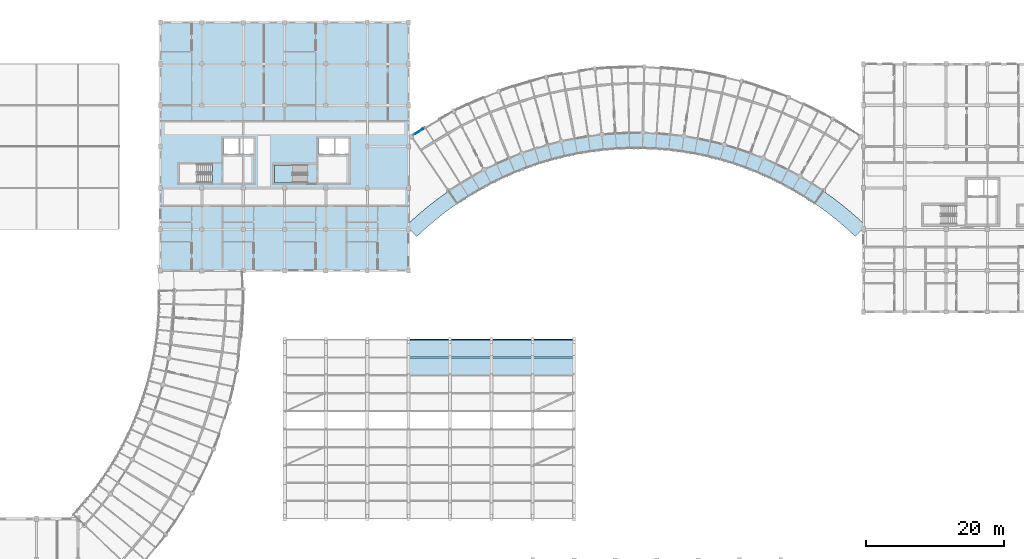
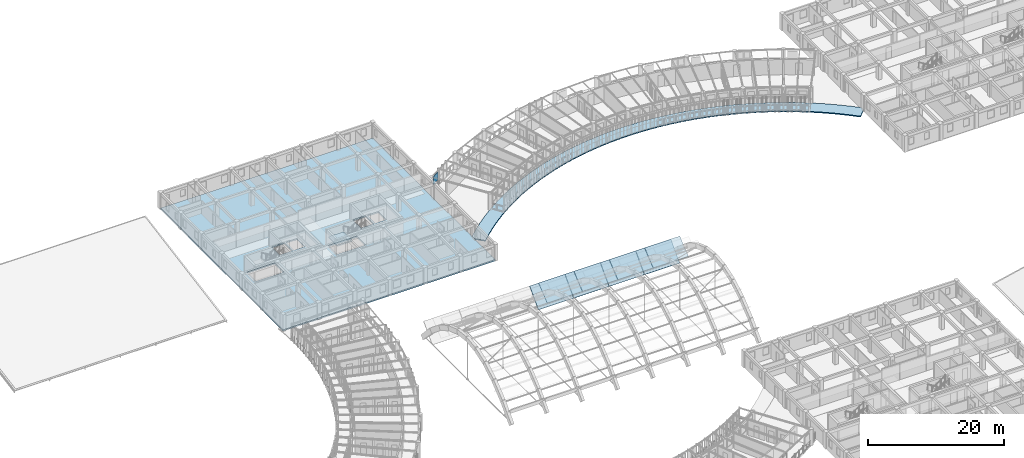
# One storey, part 65 of 123: 9 plates, 3 slabs, 1 element without a shape of its own.
"""IFC4 building model written with IfcOpenShell, lengths in metres."""

from ifc_helpers import new_model, si_unit, direction, frame, origin, origin_2d, place, context, subcontext, project, spatial, polyline, rectangle, outline, extrude, material, layer, layer_set, type_object, element, aggregate, save


model = new_model("IFC4")

# Units and contexts
model_context = context("Model", 3, precision=1e-05, world=origin(), true_north=direction((0.0, 1.0)))
body_context = subcontext(model_context, "Body", "Model", "MODEL_VIEW")
ifc_project = project(units=[si_unit("LENGTHUNIT", "METRE"), si_unit("AREAUNIT", "SQUARE_METRE"), si_unit("VOLUMEUNIT", "CUBIC_METRE"), si_unit("PLANEANGLEUNIT", "RADIAN"), si_unit("MASSUNIT", "GRAM", prefix="KILO"), si_unit("POWERUNIT", "WATT"), si_unit("THERMODYNAMICTEMPERATUREUNIT", "KELVIN")], contexts=[model_context])

# Site, building, storey
site_placement = place(None, origin())
site = spatial("IfcSite", under=ifc_project, at=site_placement, CompositionType="ELEMENT")
building_placement = place(site_placement, origin())
building = spatial("IfcBuilding", under=site, at=building_placement, Name="Ruvembo Vaulted Housing Court", CompositionType="ELEMENT")
storey_placement = place(building_placement, frame((0.0, 0.0, 7.699951171875)))
storey = spatial("IfcBuildingStorey", under=building, at=storey_placement, Name="L02", CompositionType="ELEMENT", Elevation=7.699951171875)

# Plates
ifc_material_1 = material(Name="Perforated Glazed Ceramic Cobogo Block", Category="ceramic")
ifc_layer_1 = layer(ifc_material_1, 0.1201171875, Name="Perforated Glazed Ceramic Cobogo Block")
ifc_layer_set_1 = layer_set([ifc_layer_1], Name="Perforated Glazed Ceramic Cobogo Block")
plate_type_1 = type_object("IfcPlateType", Name="PL-COBOGO-120", PredefinedType="USERDEFINED", material=ifc_layer_set_1)
plate_placement = place(storey_placement, frame((85.5107421875, 98.216064453125, 1.1201171875), z_axis=(0.0, 0.0, 1.0), x_axis=(0.83583610699, 0.548979054474, 0.0)))
element("IfcPlate", 1, at=plate_placement, inside=storey, type_object=plate_type_1, Name="Scoop SC3 L02 Ceramic Cobogo Screen #79", ObjectType="COBOGO_PANEL", PredefinedType="USERDEFINED", context=body_context, shape_type="SweptSolid", body=[
    extrude(rectangle(XDim=1.39990234375, YDim=0.1201171875, at=origin_2d()), origin(), (0.0, 0.0, 1.0), 1.360107421875),
])
ifc_material_2 = material(Name="Precast concrete C35/45", Category="concrete")
ifc_layer_2 = layer(ifc_material_2, 0.14794921875, Name="Precast concrete C35/45")
ifc_layer_set_2 = layer_set([ifc_layer_2], Name="Precast concrete C35/45")
plate_type_2 = type_object("IfcPlateType", Name="PL-VAULT-148", PredefinedType="USERDEFINED", material=ifc_layer_set_2)
for number, where, z_axis, x_axis, name in (
    (2, (87.0, 64.14697265625, 2.31787109375), (0.0, -0.633367366472, 0.77385126419), (1.0, 0.0, 0.0), "Precast Vault Haunch Shell Panel Bay 4.8"),
    (3, (93.0, 64.14697265625, 2.31787109375), (0.0, -0.633367366472, 0.77385126419), (1.0, 0.0, 0.0), "Precast Vault Haunch Shell Panel Bay 5.8"),
    (4, (99.0, 64.14697265625, 2.31787109375), (0.0, -0.633367366472, 0.77385126419), (1.0, 0.0, 0.0), "Precast Vault Haunch Shell Panel Bay 6.8"),
    (5, (105.0, 64.14697265625, 2.31787109375), (0.0, -0.633367366472, 0.77385126419), (1.0, 0.0, 0.0), "Precast Vault Haunch Shell Panel Bay 7.8"),
):
    element("IfcPlate", number, at=place(storey_placement, frame(where, z_axis=z_axis, x_axis=x_axis)), inside=storey, type_object=plate_type_2, Name=name, ObjectType="VAULT_SHELL_PANEL", PredefinedType="USERDEFINED", context=body_context, shape_type="SweptSolid", body=[
        extrude(rectangle(XDim=5.9599609375, YDim=3.329833984375, at=origin_2d()), origin(), (0.0, 0.0, 1.0), 0.14794921875),
    ])
ifc_layer_3 = layer(ifc_material_2, 0.155029296875, Name="Precast concrete C35/45")
ifc_layer_set_3 = layer_set([ifc_layer_3], Name="Precast concrete C35/45")
plate_type_3 = type_object("IfcPlateType", Name="PL-VAULT-155", PredefinedType="USERDEFINED", material=ifc_layer_set_3)
for number, where, z_axis, x_axis, name in (
    (6, (87.0, 66.756103515625, -0.1103515625), (0.0, -0.724893632131, 0.688860814748), (1.0, 0.0, 0.0), "Precast Vault Haunch Shell Panel Bay 4.9"),
    (7, (93.0, 66.756103515625, -0.1103515625), (0.0, -0.724893632131, 0.688860814748), (1.0, 0.0, 0.0), "Precast Vault Haunch Shell Panel Bay 5.9"),
    (8, (99.0, 66.756103515625, -0.1103515625), (0.0, -0.724893632131, 0.688860814748), (1.0, 0.0, 0.0), "Precast Vault Haunch Shell Panel Bay 6.9"),
    (9, (105.0, 66.756103515625, -0.1103515625), (0.0, -0.724893632131, 0.688860814748), (1.0, 0.0, 0.0), "Precast Vault Haunch Shell Panel Bay 7.9"),
):
    element("IfcPlate", number, at=place(storey_placement, frame(where, z_axis=z_axis, x_axis=x_axis)), inside=storey, type_object=plate_type_3, Name=name, ObjectType="VAULT_SHELL_PANEL", PredefinedType="USERDEFINED", context=body_context, shape_type="SweptSolid", body=[
        extrude(rectangle(XDim=5.9599609375, YDim=3.744384765625, at=origin_2d()), origin(), (0.0, 0.0, 1.0), 0.155029296875),
    ])

# Slabs
ifc_material_3 = material(Name="Concrete C35/45", Category="concrete")
ifc_layer_4 = layer(ifc_material_3, 0.179931640625, Name="Concrete C35/45")
ifc_layer_set_4 = layer_set([ifc_layer_4], Name="Concrete C35/45")
slab_type_1 = type_object("IfcSlabType", Name="SL-BAL-180", PredefinedType="FLOOR", material=ifc_layer_set_4)
slab_1_placement = place(storey_placement, frame((0.0, 0.0, -0.179931640625)))
element("IfcSlab", 10, at=slab_1_placement, inside=storey, type_object=slab_type_1, Name="Scoop SC3 L02 Continuous Curved Balcony Slab", PredefinedType="FLOOR", context=body_context, shape_type="SweptSolid", body=[
    extrude(outline(polyline([(150.0, 84.172607421875), (150.0, 84.8466796875), (148.882080078125, 85.88232421875), (147.365478515625, 87.17431640625), (145.796630859375, 88.402587890625), (144.17822265625, 89.564453125), (142.512939453125, 90.658203125), (140.8037109375, 91.681884765625), (139.053466796875, 92.6337890625), (137.26513671875, 93.51220703125), (135.44189453125, 94.31591796875), (133.587158203125, 95.04296875), (131.70361328125, 95.6923828125), (129.794677734375, 96.26318359375), (127.86376953125, 96.75439453125), (125.914306640625, 97.1650390625), (123.94921875, 97.494384765625), (121.972412109375, 97.74169921875), (119.98681640625, 97.906982421875), (117.99609375, 97.98974609375), (116.00390625, 97.98974609375), (114.01318359375, 97.906982421875), (112.027587890625, 97.74169921875), (110.05078125, 97.494384765625), (108.085693359375, 97.1650390625), (106.13623046875, 96.75439453125), (104.205322265625, 96.26318359375), (102.29638671875, 95.6923828125), (100.412841796875, 95.04296875), (98.55810546875, 94.31591796875), (96.73486328125, 93.51220703125), (94.946533203125, 92.6337890625), (93.1962890625, 91.681884765625), (91.487060546875, 90.658203125), (89.82177734375, 89.564453125), (88.203369140625, 88.402587890625), (86.634521484375, 87.17431640625), (85.117919921875, 85.88232421875), (84.0, 84.8466796875), (84.0, 84.172607421875), (85.1845703125, 82.94580078125), (86.579345703125, 84.23779296875), (88.0263671875, 85.470703125), (89.523193359375, 86.642333984375), (91.0673828125, 87.751220703125), (92.656494140625, 88.794677734375), (94.287353515625, 89.771484375), (95.95751953125, 90.6796875), (97.663818359375, 91.51806640625), (99.4033203125, 92.28466796875), (101.173095703125, 92.978515625), (102.970458984375, 93.598388671875), (104.791748046875, 94.142822265625), (106.634033203125, 94.611572265625), (108.494384765625, 95.00341796875), (110.369140625, 95.3173828125), (112.255615234375, 95.5537109375), (114.150146484375, 95.711181640625), (116.049560546875, 95.7900390625), (117.950439453125, 95.7900390625), (119.849853515625, 95.711181640625), (121.744384765625, 95.5537109375), (123.630859375, 95.3173828125), (125.505615234375, 95.00341796875), (127.365966796875, 94.611572265625), (129.208251953125, 94.142822265625), (131.029541015625, 93.598388671875), (132.826904296875, 92.978515625), (134.5966796875, 92.28466796875), (136.336181640625, 91.51806640625), (138.04248046875, 90.6796875), (139.712646484375, 89.771484375), (141.343505859375, 88.794677734375), (142.9326171875, 87.751220703125), (144.476806640625, 86.642333984375), (145.9736328125, 85.470703125), (147.420654296875, 84.23779296875), (148.8154296875, 82.94580078125), (150.0, 84.172607421875)])), origin(), (0.0, 0.0, 1.0), 0.179931640625),
])
ifc_material_4 = material(Name="Concrete C30/37", Category="concrete")
ifc_layer_5 = layer(ifc_material_4, 0.2548828125, Name="Concrete C30/37")
ifc_layer_set_5 = layer_set([ifc_layer_5], Name="Concrete C30/37")
slab_type_2 = type_object("IfcSlabType", Name="SL-FLR-255", PredefinedType="FLOOR", material=ifc_layer_set_5)
slab_2_placement = place(storey_placement, frame((0.0, 0.0, -0.2548828125)))
element("IfcSlab", 11, at=slab_2_placement, inside=storey, type_object=slab_type_2, Name="Block B L02 Structural Floor Slab", PredefinedType="FLOOR", context=body_context, shape_type="SweptSolid", body=[
    extrude(outline(polyline([(84.0, 78.0), (84.0, 114.0), (48.0, 114.0), (48.0, 78.0), (84.0, 78.0)]), holes=[polyline([(55.5, 93.449951171875), (50.75, 93.449951171875), (50.75, 90.75), (55.5, 90.75), (55.5, 93.449951171875)]), polyline([(57.14990234375, 94.85009765625), (59.35009765625, 94.85009765625), (59.35009765625, 97.25), (57.14990234375, 97.25), (57.14990234375, 94.85009765625)]), polyline([(59.60009765625, 94.85009765625), (61.449951171875, 94.85009765625), (61.449951171875, 97.25), (59.60009765625, 97.25), (59.60009765625, 94.85009765625)]), polyline([(69.35009765625, 93.35009765625), (64.550048828125, 93.35009765625), (64.550048828125, 90.75), (69.35009765625, 90.75), (69.35009765625, 93.35009765625)]), polyline([(70.949951171875, 94.85009765625), (73.14990234375, 94.85009765625), (73.14990234375, 97.25), (70.949951171875, 97.25), (70.949951171875, 94.85009765625)]), polyline([(73.39990234375, 94.85009765625), (75.25, 94.85009765625), (75.25, 97.25), (73.39990234375, 97.25), (73.39990234375, 94.85009765625)])]), origin(), (0.0, 0.0, 1.0), 0.2548828125),
])

# Stair, slab
stair_type = type_object("IfcStairType", Name="STR-CORE-1200", PredefinedType="HALF_TURN_STAIR", material=ifc_material_3)
stair_placement = place(storey_placement, origin())
stair = element("IfcStair", 12, at=stair_placement, inside=storey, type_object=stair_type, Name="L02 Protected Exit Stair ST-B2", PredefinedType="HALF_TURN_STAIR")
ifc_layer_6 = layer(ifc_material_4, 0.201904296875, Name="Concrete C30/37")
ifc_layer_set_6 = layer_set([ifc_layer_6], Name="Concrete C30/37")
slab_type_3 = type_object("IfcSlabType", Name="SL-LAND-202", PredefinedType="LANDING", material=ifc_layer_set_6)
slab_3_placement = place(storey_placement, frame((0.0, 0.0, 1.400146484375)))
slab_3 = element("IfcSlab", 13, at=slab_3_placement, type_object=slab_type_3, Name="ST-B2 landing 1", PredefinedType="LANDING", context=body_context, shape_type="SweptSolid", body=[
    extrude(outline(polyline([(67.110107421875, 93.35009765625), (64.550048828125, 93.35009765625), (64.550048828125, 90.75), (67.110107421875, 90.75), (67.110107421875, 93.35009765625)])), origin(), (0.0, 0.0, 1.0), 0.199951171875),
])
aggregate(stair, [slab_3])

save(model, "model.ifc")
